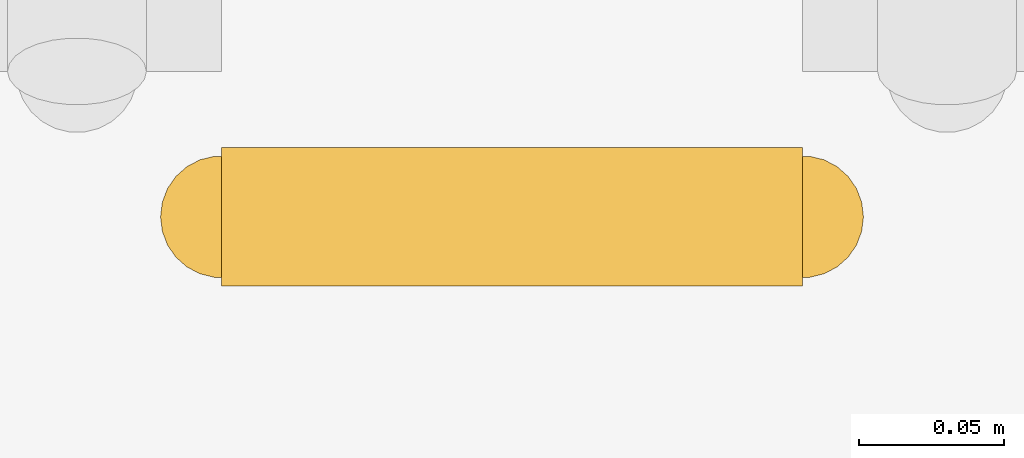
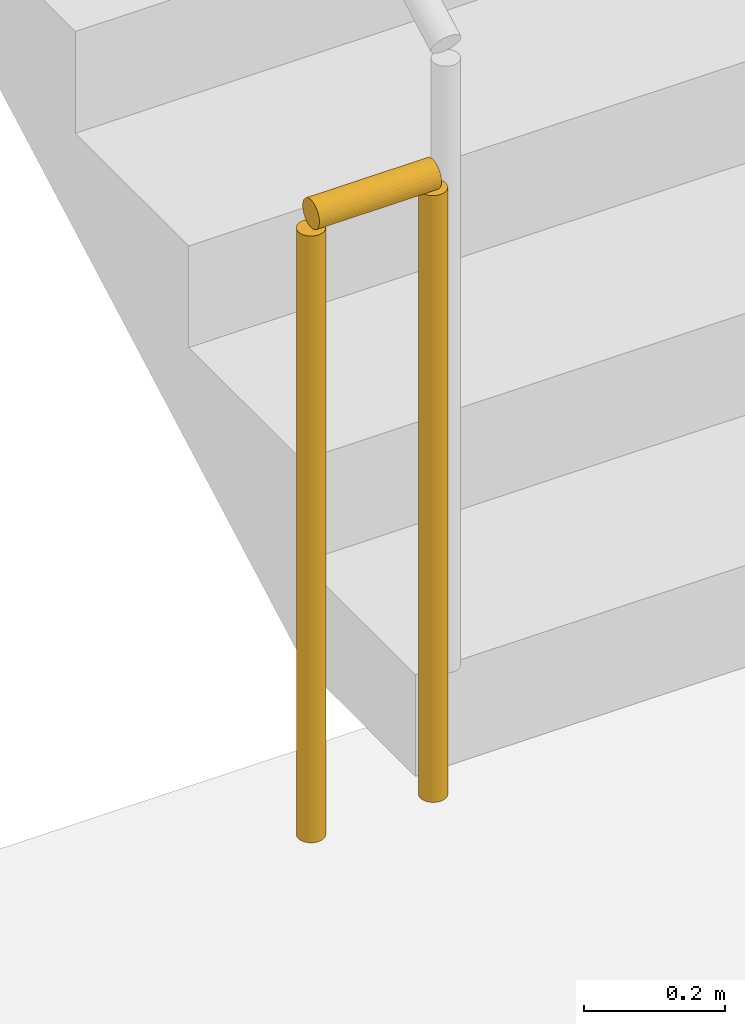
# One storey, part 76 of 84: 1 railing.
"""IFC4 building model written with IfcOpenShell, lengths in metres."""

import ifcopenshell
import ifcopenshell.guid

model = None  # the IFC model being written
_history = None  # IfcOwnerHistory: only IFC2X3 demands one
_inside = {}  # id of a spatial element -> (the spatial element, [elements in it])
_under = {}  # id of a project, library or spatial element -> (it, [spatial elements below it])
_declared = {}  # id of a project -> (the project, [libraries it declares])
_typed = {}  # id of a type object -> (the type object, [elements of that type])
_made_of = {}  # id of a material, layer set ... -> (it, [elements and type objects made of it])


def new_model(schema):
    """Start an empty IFC model of exactly this schema.

    Asked for "IFC4X3", IfcOpenShell would pick the latest addendum, in which some entities
    have other attributes; the version numbers below select the first issue.
    IFC2X3 requires an IfcOwnerHistory on every rooted entity: one is made here for all.
    """
    global model, _history
    if schema == "IFC4X3":
        model = ifcopenshell.file(schema_version=(4, 3, 0, 0))
    else:
        model = ifcopenshell.file(schema=schema)
    _inside.clear()
    _under.clear()
    _declared.clear()
    _typed.clear()
    _made_of.clear()
    _history = None
    if model.schema == "IFC2X3":
        org = make("IfcOrganization", Name="unknown")
        user = make(
            "IfcPersonAndOrganization",
            ThePerson=make("IfcPerson", FamilyName="unknown"),
            TheOrganization=org,
        )
        app = make(
            "IfcApplication",
            ApplicationDeveloper=org,
            Version="unknown",
            ApplicationFullName="unknown",
            ApplicationIdentifier="unknown",
        )
        _history = make(
            "IfcOwnerHistory",
            OwningUser=user,
            OwningApplication=app,
            ChangeAction="ADDED",
            CreationDate=0,
        )
    return model


def make(cls, **values):
    """One entity of the class cls with the attributes given. An attribute that is None is left unset."""
    return model.create_entity(
        cls, **{name: value for name, value in values.items() if value is not None}
    )


def rooted(cls, **values):
    """An entity with a GlobalId (a new one), such as an element, a storey or a relation."""
    return make(cls, GlobalId=ifcopenshell.guid.new(), OwnerHistory=_history, **values)


def si_unit(unit_type, name, prefix=None):
    """IfcSIUnit, for example si_unit("LENGTHUNIT", "METRE", prefix="MILLI")."""
    return make("IfcSIUnit", UnitType=unit_type, Prefix=prefix, Name=name)


def assignment(units):
    """IfcUnitAssignment: the units of a project."""
    return None if units is None else make("IfcUnitAssignment", Units=units)


def point(xyz):
    """IfcCartesianPoint."""
    return None if xyz is None else make("IfcCartesianPoint", Coordinates=xyz)


def direction(xyz):
    """IfcDirection."""
    return None if xyz is None else make("IfcDirection", DirectionRatios=xyz)


def frame(location, z_axis=None, x_axis=None):
    """IfcAxis2Placement3D, a coordinate frame: its origin and axes. An axis left out is left unset."""
    return make(
        "IfcAxis2Placement3D",
        Location=point(location),
        Axis=direction(z_axis),
        RefDirection=direction(x_axis),
    )


def frame_2d(location, x_axis=None):
    """IfcAxis2Placement2D, a coordinate frame in the plane: its origin and x axis."""
    return make(
        "IfcAxis2Placement2D", Location=point(location), RefDirection=direction(x_axis)
    )


def origin():
    """The frame at (0, 0, 0) with its axes left unset."""
    return frame((0.0, 0.0, 0.0))


def origin_2d():
    """The frame at (0, 0) in the plane with its x axis left unset."""
    return frame_2d((0.0, 0.0))


def place(relative_to, where):
    """IfcLocalPlacement: puts the frame where relative to a parent placement (None: the world)."""
    return make(
        "IfcLocalPlacement", PlacementRelTo=relative_to, RelativePlacement=where
    )


def context(
    kind, dimensions, precision=None, world=None, true_north=None, identifier=None
):
    """IfcGeometricRepresentationContext, for example the 3D "Model" context."""
    return make(
        "IfcGeometricRepresentationContext",
        ContextIdentifier=identifier,
        ContextType=kind,
        CoordinateSpaceDimension=dimensions,
        Precision=precision,
        WorldCoordinateSystem=world,
        TrueNorth=true_north,
    )


def subcontext(parent, identifier, kind, view, scale=None):
    """IfcGeometricRepresentationSubContext, for example "Body" below "Model"."""
    return make(
        "IfcGeometricRepresentationSubContext",
        ContextIdentifier=identifier,
        ContextType=kind,
        ParentContext=parent,
        TargetScale=scale,
        TargetView=view,
    )


def project(units=None, contexts=None):
    """IfcProject with its units and contexts."""
    return rooted(
        "IfcProject",
        Name="project",
        RepresentationContexts=contexts,
        UnitsInContext=assignment(units),
    )


def spatial(cls, under=None, at=None, **own):
    """A site, building, storey or space (cls), placed at a placement, below another one or the project."""
    s = rooted(cls, ObjectPlacement=at, **own)
    if under is not None:
        _under.setdefault(under.id(), (under, []))[1].append(s)
    return s


def profile(cls, at=None, kind="AREA", **sizes):
    """A parametric profile (cls). Its sizes go by their IFC names, for example OverallWidth=200.0."""
    return make(cls, ProfileType=kind, Position=at, **sizes)


def circle(**sizes):
    """IfcCircleProfileDef."""
    return profile("IfcCircleProfileDef", **sizes)


def extrude(swept, where, along, depth):
    """IfcExtrudedAreaSolid: the profile swept, set in the frame where, extruded along a direction by depth."""
    return make(
        "IfcExtrudedAreaSolid",
        SweptArea=swept,
        Position=where,
        ExtrudedDirection=direction(along),
        Depth=depth,
    )


def shape(context_of_items, identifier, shape_type, items):
    """IfcShapeRepresentation: the items that make up one representation, for example the "Body"."""
    return make(
        "IfcShapeRepresentation",
        ContextOfItems=context_of_items,
        RepresentationIdentifier=identifier,
        RepresentationType=shape_type,
        Items=items,
    )


def material(Name=None, Category=None):
    """IfcMaterial."""
    return make("IfcMaterial", Name=Name, Category=Category)


def made_of(thing, what):
    """Note that an element or type object is made of a material, layer set ...; save() writes the relation."""
    if what is not None:
        _made_of.setdefault(what.id(), (what, []))[1].append(thing)
    return thing


def type_object(cls, material=None, **own):
    """A type object (cls), such as IfcWallType, which elements share."""
    return made_of(rooted(cls, **own), material)


def element(
    cls,
    number,
    at=None,
    inside=None,
    cuts=None,
    type_object=None,
    material=None,
    context=None,
    identifier="Body",
    shape_type=None,
    held_by="IfcProductDefinitionShape",
    body=None,
    shapes=None,
    **own,
):
    """One element of the class cls, such as IfcWall. Its Tag is "e" and its number.

    at: its placement. inside: the storey or other place that contains it. cuts: it is an
    opening in that element (IfcRelVoidsElement). A single representation is given by context,
    identifier, shape_type and body (its items); several are given by shapes. held_by: the class
    of the entity that holds the representations. save() writes the other relations.
    """
    e = rooted(cls, Tag="e%d" % number, ObjectPlacement=at, **own)
    if body is not None:
        shapes = [shape(context, identifier, shape_type, body)]
    if shapes is not None:
        e.Representation = make(held_by, Representations=shapes)
    if inside is not None:
        _inside.setdefault(inside.id(), (inside, []))[1].append(e)
    if cuts is not None:
        rooted(
            "IfcRelVoidsElement", RelatingBuildingElement=cuts, RelatedOpeningElement=e
        )
    if type_object is not None:
        _typed.setdefault(type_object.id(), (type_object, []))[1].append(e)
    return made_of(e, material)


def aggregate(whole, parts):
    """IfcRelAggregates: a whole, such as a stair, and the parts it consists of."""
    return rooted("IfcRelAggregates", RelatingObject=whole, RelatedObjects=parts)


def save(model, path):
    """Write the relations noted so far, then the file.

    IfcRelAggregates (storeys below a building ...), IfcRelContainedInSpatialStructure (elements
    in a storey), IfcRelDefinesByType, IfcRelAssociatesMaterial and IfcRelDeclares: one each for
    every whole, place, type object, material and project.
    """
    for whole, parts in _under.values():
        aggregate(whole, parts)
    for where, things in _inside.values():
        rooted(
            "IfcRelContainedInSpatialStructure",
            RelatedElements=things,
            RelatingStructure=where,
        )
    for kind, things in _typed.values():
        rooted("IfcRelDefinesByType", RelatedObjects=things, RelatingType=kind)
    for what, things in _made_of.values():
        rooted("IfcRelAssociatesMaterial", RelatedObjects=things, RelatingMaterial=what)
    for by, libraries in _declared.values():
        rooted("IfcRelDeclares", RelatingContext=by, RelatedDefinitions=libraries)
    model.write(path)


model = new_model("IFC4")

# Units and contexts
model_context = context("Model", 3, precision=1e-05, world=origin(), true_north=direction((0.0, 1.0)))
body_context = subcontext(model_context, "Body", "Model", "MODEL_VIEW")
ifc_project = project(units=[si_unit("LENGTHUNIT", "METRE"), si_unit("AREAUNIT", "SQUARE_METRE"), si_unit("VOLUMEUNIT", "CUBIC_METRE"), si_unit("PLANEANGLEUNIT", "RADIAN"), si_unit("MASSUNIT", "GRAM", prefix="KILO")], contexts=[model_context])

# Site, building, storey
site_placement = place(None, origin())
site = spatial("IfcSite", under=ifc_project, at=site_placement, CompositionType="ELEMENT")
building_placement = place(site_placement, origin())
building = spatial("IfcBuilding", under=site, at=building_placement, Name="Sefraquen Railside Congress Hotel", CompositionType="ELEMENT")
storey_placement = place(building_placement, origin())
storey = spatial("IfcBuildingStorey", under=building, at=storey_placement, Name="L00", CompositionType="ELEMENT", Elevation=0.0)

# Railing
ifc_material = material(Name="Patinated wrought architectural bronze", Category="metal")
railing_type = type_object("IfcRailingType", Name="TRL-BAL-110", PredefinedType="BALUSTRADE", material=ifc_material)
railing_placement = place(storey_placement, frame((67.080078125, 99.429931640625, 0.0)))
element("IfcRailing", 1, at=railing_placement, inside=storey, type_object=railing_type, Name="L00 ST-H03 stair guard 4", PredefinedType="BALUSTRADE", context=body_context, shape_type="SweptSolid", body=[
    extrude(circle(Radius=0.02392578125, at=origin_2d()), frame((0.0, 0.0, 1.076171875), z_axis=(-1.0, 0.0, 0.0), x_axis=(0.0, -1.0, 0.0)), (0.0, 0.0, 1.0), 0.2001953125),
    extrude(circle(Radius=0.02099609375, at=origin_2d()), origin(), (0.0, 0.0, 1.0), 1.052001953125),
    extrude(circle(Radius=0.02099609375, at=origin_2d()), frame((-0.2001953125, 0.0, 0.0)), (0.0, 0.0, 1.0), 1.052001953125),
])

save(model, "model.ifc")
